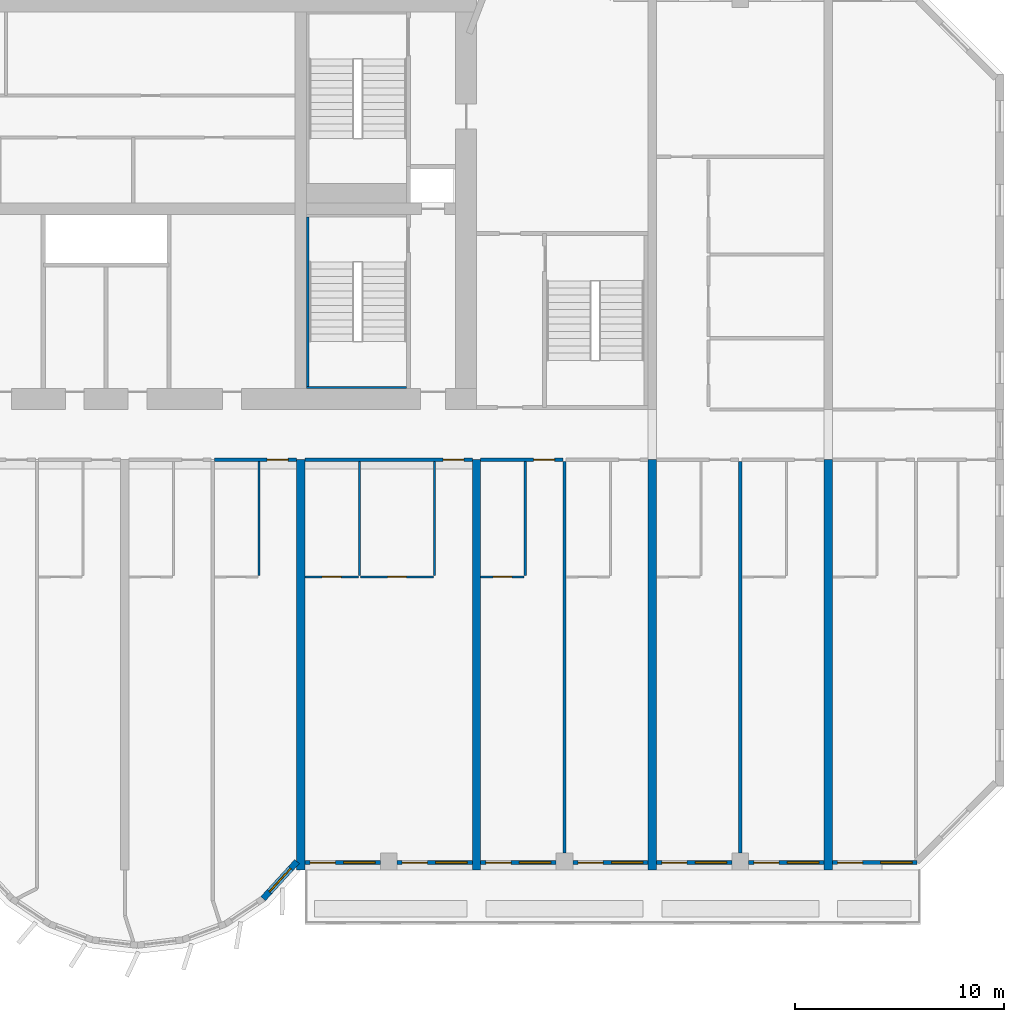
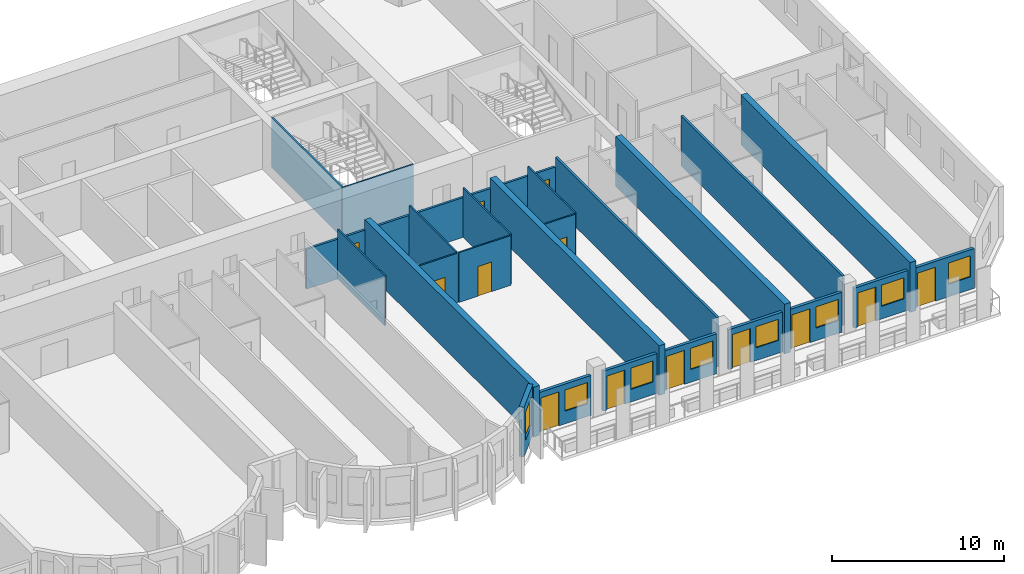
# One storey, part 8 of 14: 26 walls, 13 doors, 8 windows, 21 openings.
"""IFC4 building model written with IfcOpenShell, lengths in metres."""

from ifc_helpers import new_model, si_unit, direction, frame, frame_2d, origin, place, context, subcontext, project, spatial, rectangle, extrude, source, transform, mapped, material, layer, layer_set, type_object, element, fill, save


model = new_model("IFC4")

# Units and contexts
model_context = context("Model", 3, precision=1e-05, world=origin(), true_north=direction((0.0, 1.0)))
body_context = subcontext(model_context, "Body", "Model", "MODEL_VIEW")
ifc_project = project(units=[si_unit("LENGTHUNIT", "METRE"), si_unit("AREAUNIT", "SQUARE_METRE"), si_unit("VOLUMEUNIT", "CUBIC_METRE"), si_unit("PLANEANGLEUNIT", "RADIAN"), si_unit("MASSUNIT", "GRAM", prefix="KILO")], contexts=[model_context])

# Site, building, storey
site_placement = place(None, origin())
site = spatial("IfcSite", under=ifc_project, at=site_placement, CompositionType="ELEMENT")
building_placement = place(site_placement, origin())
building = spatial("IfcBuilding", under=site, at=building_placement, Name="Vanashikhar Sky Hotel", CompositionType="ELEMENT")
storey_placement = place(building_placement, frame((0.0, 0.0, 54.39990234375)))
storey = spatial("IfcBuildingStorey", under=building, at=storey_placement, Name="L12", CompositionType="ELEMENT", Elevation=54.39990234375)

# Walls
ifc_material_1 = material(Name="Concrete M80", Category="concrete")
ifc_layer_1 = layer(ifc_material_1, 0.39990234375)
ifc_layer_set_1 = layer_set([ifc_layer_1], Name="RC shear wall 400 Concrete M80")
wall_type_1 = type_object("IfcWallType", Name="RC shear wall 400 Concrete M80", PredefinedType="SHEAR", material=ifc_layer_set_1)
shared_shape_1 = source(origin(), body_context, "Body", "SweptSolid", [
    extrude(rectangle(XDim=19.60009765625, YDim=0.39990234375, at=frame_2d((9.800048828125, 0.0))), origin(), (0.0, 0.0, 1.0), 3.52001953125),
])
for number, where, z_axis, x_axis, name in (
    (1, (67.199951171875, 0.0, 0.0), (0.0, 0.0, 1.0), (0.0, 1.0, 0.0), "CW-L12-XW09-1"),
    (2, (75.60009765625, 0.0, 0.0), (0.0, 0.0, 1.0), (0.0, 1.0, 0.0), "CW-L12-XW10-1"),
    (3, (84.0, 0.0, 0.0), (0.0, 0.0, 1.0), (0.0, 1.0, 0.0), "CW-L12-XW11-1"),
    (4, (92.39990234375, 0.0, 0.0), (0.0, 0.0, 1.0), (0.0, 1.0, 0.0), "CW-L12-XW12-1"),
):
    element("IfcWall", number, at=place(storey_placement, frame(where, z_axis=z_axis, x_axis=x_axis)), inside=storey, type_object=wall_type_1, Name=name, PredefinedType="SHEAR", context=body_context, shape_type="MappedRepresentation", body=[
        mapped(shared_shape_1, transform((0.0, 0.0, 0.0), scale=1.0)),
    ])

# Wall, opening, window
ifc_material_2 = material(Name="Concrete M50", Category="concrete")
ifc_layer_2 = layer(ifc_material_2, 0.300048828125)
ifc_layer_set_2 = layer_set([ifc_layer_2], Name="Lobe wall 300")
wall_type_2 = type_object("IfcWallType", Name="Lobe wall 300", PredefinedType="SOLIDWALL", material=ifc_layer_set_2)
shared_shape_2 = source(origin(), body_context, "Body", "SweptSolid", [
    extrude(rectangle(XDim=2.398193359375, YDim=0.300048828125, at=frame_2d((1.19921875, 0.0))), origin(), (0.0, 0.0, 1.0), 3.52001953125),
])
wall_1_placement = place(storey_placement, frame((65.404296875, -1.36865234375, 0.0), z_axis=(0.0, 0.0, 1.0), x_axis=(0.675374189419, 0.737475222815, 0.0)))
wall_1 = element("IfcWall", 5, at=wall_1_placement, inside=storey, type_object=wall_type_2, Name="Lobe wall", PredefinedType="SOLIDWALL", context=body_context, shape_type="MappedRepresentation", body=[
    mapped(shared_shape_2, transform((0.0, 0.0, 0.0), scale=1.0)),
])
shared_shape_3 = source(origin(), body_context, "Body", "SweptSolid", [
    extrude(rectangle(XDim=1.5, YDim=2.0, at=frame_2d((0.75, 1.0))), frame((0.0, 0.16015625, 0.0), z_axis=(0.0, -1.0, 0.0), x_axis=(1.0, 0.0, 0.0)), (0.0, 0.0, 1.0), 0.320068359375),
])
opening_1_placement = place(wall_1_placement, frame((0.44921875, 0.0, 0.89990234375)))
opening_1 = element("IfcOpeningElement", 6, at=opening_1_placement, cuts=wall_1, Name="Opening WN-2", PredefinedType="OPENING", context=body_context, shape_type="MappedRepresentation", body=[
    mapped(shared_shape_3, transform((0.0, 0.0, 0.0), scale=1.0)),
])
ifc_material_3 = material(Name="Glass", Category="glass")
window_type_1 = type_object("IfcWindowType", Name="Lobe window 1500 x 2000", PartitioningType="SINGLE_PANEL", PredefinedType="WINDOW", material=ifc_material_3)
shared_shape_4 = source(origin(), body_context, "Body", "SweptSolid", [
    extrude(rectangle(XDim=1.5, YDim=2.0, at=frame_2d((0.75, 1.0))), frame((0.0, 0.030029296875, 0.0), z_axis=(0.0, -1.0, 0.0), x_axis=(1.0, 0.0, 0.0)), (0.0, 0.0, 1.0), 0.06005859375),
])
window_1_placement = place(opening_1_placement, origin())
window_1 = element("IfcWindow", 7, at=window_1_placement, inside=storey, type_object=window_type_1, Name="Window WN-2", OverallHeight=2.0, OverallWidth=1.5, PartitioningType="SINGLE_PANEL", PredefinedType="WINDOW", context=body_context, shape_type="MappedRepresentation", body=[
    mapped(shared_shape_4, transform((0.0, 0.0, 0.0), scale=1.0)),
])
fill(opening_1, window_1)

# Wall, openings, window, door
ifc_layer_3 = layer(ifc_material_2, 0.199951171875)
ifc_layer_set_3 = layer_set([ifc_layer_3], Name="Front window wall 200")
wall_type_3 = type_object("IfcWallType", Name="Front window wall 200", PredefinedType="SOLIDWALL", material=ifc_layer_set_3)
shared_shape_5 = source(origin(), body_context, "Body", "SweptSolid", [
    extrude(rectangle(XDim=4.054931640625, YDim=0.199951171875, at=frame_2d((2.02734375, 0.0))), origin(), (0.0, 0.0, 1.0), 2.820068359375),
])
wall_2_placement = place(storey_placement, frame((92.60009765625, 0.35009765625, 0.0), z_axis=(0.0, 0.0, 1.0), x_axis=(1.0, 0.0, 0.0)))
wall_2 = element("IfcWall", 8, at=wall_2_placement, inside=storey, type_object=wall_type_3, Name="Front window wall", PredefinedType="SOLIDWALL", context=body_context, shape_type="MappedRepresentation", body=[
    mapped(shared_shape_5, transform((0.0, 0.0, 0.0), scale=1.0)),
])
shared_shape_6 = source(origin(), body_context, "Body", "SweptSolid", [
    extrude(rectangle(XDim=1.199951171875, YDim=2.39990234375, at=frame_2d((0.60009765625, 1.199951171875))), frame((0.0, 0.10986328125, 0.0), z_axis=(0.0, -1.0, 0.0), x_axis=(1.0, 0.0, 0.0)), (0.0, 0.0, 1.0), 0.219970703125),
])
opening_2_placement = place(wall_2_placement, frame((0.25, 0.0, 0.0)))
opening_2 = element("IfcOpeningElement", 9, at=opening_2_placement, cuts=wall_2, Name="Opening BD-14", PredefinedType="OPENING", context=body_context, shape_type="MappedRepresentation", body=[
    mapped(shared_shape_6, transform((0.0, 0.0, 0.0), scale=1.0)),
])
shared_shape_7 = source(origin(), body_context, "Body", "SweptSolid", [
    extrude(rectangle(XDim=1.5, YDim=1.5, at=frame_2d((0.75, 0.75))), frame((0.0, 0.10986328125, 0.0), z_axis=(0.0, -1.0, 0.0), x_axis=(1.0, 0.0, 0.0)), (0.0, 0.0, 1.0), 0.219970703125),
])
opening_3_placement = place(wall_2_placement, frame((2.304931640625, 0.0, 0.89990234375)))
opening_3 = element("IfcOpeningElement", 10, at=opening_3_placement, cuts=wall_2, Name="Opening WN-1", PredefinedType="OPENING", context=body_context, shape_type="MappedRepresentation", body=[
    mapped(shared_shape_7, transform((0.0, 0.0, 0.0), scale=1.0)),
])
window_type_2 = type_object("IfcWindowType", Name="Window 1500 x 1500", PartitioningType="SINGLE_PANEL", PredefinedType="WINDOW", material=ifc_material_3)
shared_shape_8 = source(origin(), body_context, "Body", "SweptSolid", [
    extrude(rectangle(XDim=1.5, YDim=1.5, at=frame_2d((0.75, 0.75))), frame((0.0, 0.030029296875, 0.0), z_axis=(0.0, -1.0, 0.0), x_axis=(1.0, 0.0, 0.0)), (0.0, 0.0, 1.0), 0.06005859375),
])
window_2_placement = place(opening_3_placement, origin())
window_2 = element("IfcWindow", 11, at=window_2_placement, inside=storey, type_object=window_type_2, Name="Window WN-1", OverallHeight=1.5, OverallWidth=1.5, PartitioningType="SINGLE_PANEL", PredefinedType="WINDOW", context=body_context, shape_type="MappedRepresentation", body=[
    mapped(shared_shape_8, transform((0.0, 0.0, 0.0), scale=1.0)),
])
fill(opening_3, window_2)
ifc_material_4 = material(Name="Aluminium", Category="aluminium")
door_type_1 = type_object("IfcDoorType", Name="Balcony sliding door 1200 x 2400", OperationType="NOTDEFINED", PredefinedType="DOOR", material=ifc_material_4)
shared_shape_9 = source(origin(), body_context, "Body", "SweptSolid", [
    extrude(rectangle(XDim=1.199951171875, YDim=2.39990234375, at=frame_2d((0.60009765625, 1.199951171875))), frame((0.0, 0.02490234375, 0.0), z_axis=(0.0, -1.0, 0.0), x_axis=(1.0, 0.0, 0.0)), (0.0, 0.0, 1.0), 0.050048828125),
])
door_1_placement = place(opening_2_placement, origin())
door_1 = element("IfcDoor", 12, at=door_1_placement, inside=storey, type_object=door_type_1, Name="Balcony sliding door", OperationType="SLIDING_TO_RIGHT", OverallHeight=2.39990234375, OverallWidth=1.199951171875, PredefinedType="DOOR", context=body_context, shape_type="MappedRepresentation", body=[
    mapped(shared_shape_9, transform((0.0, 0.0, 0.0), scale=1.0)),
])
fill(opening_2, door_1)

shared_shape_10 = source(origin(), body_context, "Body", "SweptSolid", [
    extrude(rectangle(XDim=3.599853515625, YDim=0.199951171875, at=frame_2d((1.7998046875, 0.0))), origin(), (0.0, 0.0, 1.0), 2.820068359375),
])
wall_3_placement = place(storey_placement, frame((71.800048828125, 0.35009765625, 0.0), z_axis=(0.0, 0.0, 1.0), x_axis=(1.0, 0.0, 0.0)))
wall_3 = element("IfcWall", 13, at=wall_3_placement, inside=storey, type_object=wall_type_3, Name="Front window wall", PredefinedType="SOLIDWALL", context=body_context, shape_type="MappedRepresentation", body=[
    mapped(shared_shape_10, transform((0.0, 0.0, 0.0), scale=1.0)),
])
opening_4_placement = place(wall_3_placement, frame((0.25, 0.0, 0.0)))
opening_4 = element("IfcOpeningElement", 14, at=opening_4_placement, cuts=wall_3, Name="Opening BD-09", PredefinedType="OPENING", context=body_context, shape_type="MappedRepresentation", body=[
    mapped(shared_shape_6, transform((0.0, 0.0, 0.0), scale=1.0)),
])
opening_5_placement = place(wall_3_placement, frame((1.85009765625, 0.0, 0.89990234375)))
opening_5 = element("IfcOpeningElement", 15, at=opening_5_placement, cuts=wall_3, Name="Opening WN-1", PredefinedType="OPENING", context=body_context, shape_type="MappedRepresentation", body=[
    mapped(shared_shape_7, transform((0.0, 0.0, 0.0), scale=1.0)),
])
window_3_placement = place(opening_5_placement, origin())
window_3 = element("IfcWindow", 16, at=window_3_placement, inside=storey, type_object=window_type_2, Name="Window WN-1", OverallHeight=1.5, OverallWidth=1.5, PartitioningType="SINGLE_PANEL", PredefinedType="WINDOW", context=body_context, shape_type="MappedRepresentation", body=[
    mapped(shared_shape_8, transform((0.0, 0.0, 0.0), scale=1.0)),
])
fill(opening_5, window_3)
door_2_placement = place(opening_4_placement, origin())
door_2 = element("IfcDoor", 17, at=door_2_placement, inside=storey, type_object=door_type_1, Name="Balcony sliding door", OperationType="SLIDING_TO_LEFT", OverallHeight=2.39990234375, OverallWidth=1.199951171875, PredefinedType="DOOR", context=body_context, shape_type="MappedRepresentation", body=[
    mapped(shared_shape_9, transform((0.0, 0.0, 0.0), scale=1.0)),
])
fill(opening_4, door_2)

wall_4_placement = place(storey_placement, frame((75.800048828125, 0.35009765625, 0.0), z_axis=(0.0, 0.0, 1.0), x_axis=(1.0, 0.0, 0.0)))
wall_4 = element("IfcWall", 18, at=wall_4_placement, inside=storey, type_object=wall_type_3, Name="Front window wall", PredefinedType="SOLIDWALL", context=body_context, shape_type="MappedRepresentation", body=[
    mapped(shared_shape_10, transform((0.0, 0.0, 0.0), scale=1.0)),
])
opening_6_placement = place(wall_4_placement, frame((0.25, 0.0, 0.0)))
opening_6 = element("IfcOpeningElement", 19, at=opening_6_placement, cuts=wall_4, Name="Opening BD-10", PredefinedType="OPENING", context=body_context, shape_type="MappedRepresentation", body=[
    mapped(shared_shape_6, transform((0.0, 0.0, 0.0), scale=1.0)),
])
opening_7_placement = place(wall_4_placement, frame((1.85009765625, 0.0, 0.89990234375)))
opening_7 = element("IfcOpeningElement", 20, at=opening_7_placement, cuts=wall_4, Name="Opening WN-1", PredefinedType="OPENING", context=body_context, shape_type="MappedRepresentation", body=[
    mapped(shared_shape_7, transform((0.0, 0.0, 0.0), scale=1.0)),
])
window_4_placement = place(opening_7_placement, origin())
window_4 = element("IfcWindow", 21, at=window_4_placement, inside=storey, type_object=window_type_2, Name="Window WN-1", OverallHeight=1.5, OverallWidth=1.5, PartitioningType="SINGLE_PANEL", PredefinedType="WINDOW", context=body_context, shape_type="MappedRepresentation", body=[
    mapped(shared_shape_8, transform((0.0, 0.0, 0.0), scale=1.0)),
])
fill(opening_7, window_4)
door_3_placement = place(opening_6_placement, origin())
door_3 = element("IfcDoor", 22, at=door_3_placement, inside=storey, type_object=door_type_1, Name="Balcony sliding door", OperationType="SLIDING_TO_RIGHT", OverallHeight=2.39990234375, OverallWidth=1.199951171875, PredefinedType="DOOR", context=body_context, shape_type="MappedRepresentation", body=[
    mapped(shared_shape_9, transform((0.0, 0.0, 0.0), scale=1.0)),
])
fill(opening_6, door_3)

wall_5_placement = place(storey_placement, frame((88.60009765625, 0.35009765625, 0.0), z_axis=(0.0, 0.0, 1.0), x_axis=(1.0, 0.0, 0.0)))
wall_5 = element("IfcWall", 23, at=wall_5_placement, inside=storey, type_object=wall_type_3, Name="Front window wall", PredefinedType="SOLIDWALL", context=body_context, shape_type="MappedRepresentation", body=[
    mapped(shared_shape_10, transform((0.0, 0.0, 0.0), scale=1.0)),
])
opening_8_placement = place(wall_5_placement, frame((0.25, 0.0, 0.0)))
opening_8 = element("IfcOpeningElement", 24, at=opening_8_placement, cuts=wall_5, Name="Opening BD-13", PredefinedType="OPENING", context=body_context, shape_type="MappedRepresentation", body=[
    mapped(shared_shape_6, transform((0.0, 0.0, 0.0), scale=1.0)),
])
opening_9_placement = place(wall_5_placement, frame((1.85009765625, 0.0, 0.89990234375)))
opening_9 = element("IfcOpeningElement", 25, at=opening_9_placement, cuts=wall_5, Name="Opening WN-1", PredefinedType="OPENING", context=body_context, shape_type="MappedRepresentation", body=[
    mapped(shared_shape_7, transform((0.0, 0.0, 0.0), scale=1.0)),
])
window_5_placement = place(opening_9_placement, origin())
window_5 = element("IfcWindow", 26, at=window_5_placement, inside=storey, type_object=window_type_2, Name="Window WN-1", OverallHeight=1.5, OverallWidth=1.5, PartitioningType="SINGLE_PANEL", PredefinedType="WINDOW", context=body_context, shape_type="MappedRepresentation", body=[
    mapped(shared_shape_8, transform((0.0, 0.0, 0.0), scale=1.0)),
])
fill(opening_9, window_5)
door_4_placement = place(opening_8_placement, origin())
door_4 = element("IfcDoor", 27, at=door_4_placement, inside=storey, type_object=door_type_1, Name="Balcony sliding door", OperationType="SLIDING_TO_LEFT", OverallHeight=2.39990234375, OverallWidth=1.199951171875, PredefinedType="DOOR", context=body_context, shape_type="MappedRepresentation", body=[
    mapped(shared_shape_9, transform((0.0, 0.0, 0.0), scale=1.0)),
])
fill(opening_8, door_4)

shared_shape_11 = source(origin(), body_context, "Body", "SweptSolid", [
    extrude(rectangle(XDim=3.60009765625, YDim=0.199951171875, at=frame_2d((1.800048828125, 0.0))), origin(), (0.0, 0.0, 1.0), 2.820068359375),
])
wall_6_placement = place(storey_placement, frame((67.39990234375, 0.35009765625, 0.0), z_axis=(0.0, 0.0, 1.0), x_axis=(1.0, 0.0, 0.0)))
wall_6 = element("IfcWall", 28, at=wall_6_placement, inside=storey, type_object=wall_type_3, Name="Front window wall", PredefinedType="SOLIDWALL", context=body_context, shape_type="MappedRepresentation", body=[
    mapped(shared_shape_11, transform((0.0, 0.0, 0.0), scale=1.0)),
])
opening_10_placement = place(wall_6_placement, frame((0.25, 0.0, 0.0)))
opening_10 = element("IfcOpeningElement", 29, at=opening_10_placement, cuts=wall_6, Name="Opening BD-08", PredefinedType="OPENING", context=body_context, shape_type="MappedRepresentation", body=[
    mapped(shared_shape_6, transform((0.0, 0.0, 0.0), scale=1.0)),
])
opening_11_placement = place(wall_6_placement, frame((1.85009765625, 0.0, 0.89990234375)))
opening_11 = element("IfcOpeningElement", 30, at=opening_11_placement, cuts=wall_6, Name="Opening WN-1", PredefinedType="OPENING", context=body_context, shape_type="MappedRepresentation", body=[
    mapped(shared_shape_7, transform((0.0, 0.0, 0.0), scale=1.0)),
])
window_6_placement = place(opening_11_placement, origin())
window_6 = element("IfcWindow", 31, at=window_6_placement, inside=storey, type_object=window_type_2, Name="Window WN-1", OverallHeight=1.5, OverallWidth=1.5, PartitioningType="SINGLE_PANEL", PredefinedType="WINDOW", context=body_context, shape_type="MappedRepresentation", body=[
    mapped(shared_shape_8, transform((0.0, 0.0, 0.0), scale=1.0)),
])
fill(opening_11, window_6)
door_5_placement = place(opening_10_placement, origin())
door_5 = element("IfcDoor", 32, at=door_5_placement, inside=storey, type_object=door_type_1, Name="Balcony sliding door", OperationType="SLIDING_TO_RIGHT", OverallHeight=2.39990234375, OverallWidth=1.199951171875, PredefinedType="DOOR", context=body_context, shape_type="MappedRepresentation", body=[
    mapped(shared_shape_9, transform((0.0, 0.0, 0.0), scale=1.0)),
])
fill(opening_10, door_5)

wall_7_placement = place(storey_placement, frame((80.199951171875, 0.35009765625, 0.0), z_axis=(0.0, 0.0, 1.0), x_axis=(1.0, 0.0, 0.0)))
wall_7 = element("IfcWall", 33, at=wall_7_placement, inside=storey, type_object=wall_type_3, Name="Front window wall", PredefinedType="SOLIDWALL", context=body_context, shape_type="MappedRepresentation", body=[
    mapped(shared_shape_11, transform((0.0, 0.0, 0.0), scale=1.0)),
])
opening_12_placement = place(wall_7_placement, frame((0.25, 0.0, 0.0)))
opening_12 = element("IfcOpeningElement", 34, at=opening_12_placement, cuts=wall_7, Name="Opening BD-11", PredefinedType="OPENING", context=body_context, shape_type="MappedRepresentation", body=[
    mapped(shared_shape_6, transform((0.0, 0.0, 0.0), scale=1.0)),
])
opening_13_placement = place(wall_7_placement, frame((1.85009765625, 0.0, 0.89990234375)))
opening_13 = element("IfcOpeningElement", 35, at=opening_13_placement, cuts=wall_7, Name="Opening WN-1", PredefinedType="OPENING", context=body_context, shape_type="MappedRepresentation", body=[
    mapped(shared_shape_7, transform((0.0, 0.0, 0.0), scale=1.0)),
])
window_7_placement = place(opening_13_placement, origin())
window_7 = element("IfcWindow", 36, at=window_7_placement, inside=storey, type_object=window_type_2, Name="Window WN-1", OverallHeight=1.5, OverallWidth=1.5, PartitioningType="SINGLE_PANEL", PredefinedType="WINDOW", context=body_context, shape_type="MappedRepresentation", body=[
    mapped(shared_shape_8, transform((0.0, 0.0, 0.0), scale=1.0)),
])
fill(opening_13, window_7)
door_6_placement = place(opening_12_placement, origin())
door_6 = element("IfcDoor", 37, at=door_6_placement, inside=storey, type_object=door_type_1, Name="Balcony sliding door", OperationType="SLIDING_TO_LEFT", OverallHeight=2.39990234375, OverallWidth=1.199951171875, PredefinedType="DOOR", context=body_context, shape_type="MappedRepresentation", body=[
    mapped(shared_shape_9, transform((0.0, 0.0, 0.0), scale=1.0)),
])
fill(opening_12, door_6)

wall_8_placement = place(storey_placement, frame((84.199951171875, 0.35009765625, 0.0), z_axis=(0.0, 0.0, 1.0), x_axis=(1.0, 0.0, 0.0)))
wall_8 = element("IfcWall", 38, at=wall_8_placement, inside=storey, type_object=wall_type_3, Name="Front window wall", PredefinedType="SOLIDWALL", context=body_context, shape_type="MappedRepresentation", body=[
    mapped(shared_shape_11, transform((0.0, 0.0, 0.0), scale=1.0)),
])
opening_14_placement = place(wall_8_placement, frame((0.25, 0.0, 0.0)))
opening_14 = element("IfcOpeningElement", 39, at=opening_14_placement, cuts=wall_8, Name="Opening BD-12", PredefinedType="OPENING", context=body_context, shape_type="MappedRepresentation", body=[
    mapped(shared_shape_6, transform((0.0, 0.0, 0.0), scale=1.0)),
])
opening_15_placement = place(wall_8_placement, frame((1.85009765625, 0.0, 0.89990234375)))
opening_15 = element("IfcOpeningElement", 40, at=opening_15_placement, cuts=wall_8, Name="Opening WN-1", PredefinedType="OPENING", context=body_context, shape_type="MappedRepresentation", body=[
    mapped(shared_shape_7, transform((0.0, 0.0, 0.0), scale=1.0)),
])
window_8_placement = place(opening_15_placement, origin())
window_8 = element("IfcWindow", 41, at=window_8_placement, inside=storey, type_object=window_type_2, Name="Window WN-1", OverallHeight=1.5, OverallWidth=1.5, PartitioningType="SINGLE_PANEL", PredefinedType="WINDOW", context=body_context, shape_type="MappedRepresentation", body=[
    mapped(shared_shape_8, transform((0.0, 0.0, 0.0), scale=1.0)),
])
fill(opening_15, window_8)
door_7_placement = place(opening_14_placement, origin())
door_7 = element("IfcDoor", 42, at=door_7_placement, inside=storey, type_object=door_type_1, Name="Balcony sliding door", OperationType="SLIDING_TO_RIGHT", OverallHeight=2.39990234375, OverallWidth=1.199951171875, PredefinedType="DOOR", context=body_context, shape_type="MappedRepresentation", body=[
    mapped(shared_shape_9, transform((0.0, 0.0, 0.0), scale=1.0)),
])
fill(opening_14, door_7)

# Walls
ifc_layer_4 = layer(ifc_material_2, 0.10009765625)
ifc_layer_set_4 = layer_set([ifc_layer_4], Name="Stair infill wall 100")
wall_type_4 = type_object("IfcWallType", Name="Stair infill wall 100", PredefinedType="SOLIDWALL", material=ifc_layer_set_4)
shared_shape_12 = source(origin(), body_context, "Body", "SweptSolid", [
    extrude(rectangle(XDim=4.77490234375, YDim=0.10009765625, at=frame_2d((2.387451171875, 0.0))), origin(), (0.0, 0.0, 1.0), 3.52001953125),
])
wall_9_placement = place(storey_placement, frame((67.47509765625, 23.050048828125, 0.0), z_axis=(0.0, 0.0, 1.0), x_axis=(1.0, 0.0, 0.0)))
element("IfcWall", 43, at=wall_9_placement, inside=storey, type_object=wall_type_4, Name="Stair infill wall 100", PredefinedType="SOLIDWALL", context=body_context, shape_type="MappedRepresentation", body=[
    mapped(shared_shape_12, transform((0.0, 0.0, 0.0), scale=1.0)),
])
ifc_layer_5 = layer(ifc_material_2, 0.125)
ifc_layer_set_5 = layer_set([ifc_layer_5], Name="Stair infill wall 125")
wall_type_5 = type_object("IfcWallType", Name="Stair infill wall 125", PredefinedType="SOLIDWALL", material=ifc_layer_set_5)
shared_shape_13 = source(origin(), body_context, "Body", "SweptSolid", [
    extrude(rectangle(XDim=8.099853515625, YDim=0.125, at=frame_2d((4.0498046875, 0.0))), origin(), (0.0, 0.0, 1.0), 3.52001953125),
])
wall_10_placement = place(storey_placement, frame((67.537109375, 23.10009765625, 0.0), z_axis=(0.0, 0.0, 1.0), x_axis=(0.0, 1.0, 0.0)))
element("IfcWall", 44, at=wall_10_placement, inside=storey, type_object=wall_type_5, Name="Stair infill wall 125", PredefinedType="SOLIDWALL", context=body_context, shape_type="MappedRepresentation", body=[
    mapped(shared_shape_13, transform((0.0, 0.0, 0.0), scale=1.0)),
])

# Wall, opening, door
ifc_material_5 = material(Name="Gypsum plasterboard partition")
ifc_layer_6 = layer(ifc_material_5, 0.10009765625)
ifc_layer_set_6 = layer_set([ifc_layer_6], Name="Wet room partition 100")
wall_type_6 = type_object("IfcWallType", Name="Wet room partition 100", PredefinedType="PARTITIONING", material=ifc_layer_set_6)
shared_shape_14 = source(origin(), body_context, "Body", "SweptSolid", [
    extrude(rectangle(XDim=3.5, YDim=0.10009765625, at=frame_2d((1.75, 0.0))), origin(), (0.0, 0.0, 1.0), 3.52001953125),
])
wall_11_placement = place(storey_placement, frame((70.050048828125, 14.0, 0.0), z_axis=(0.0, 0.0, 1.0), x_axis=(1.0, 0.0, 0.0)))
wall_11 = element("IfcWall", 45, at=wall_11_placement, inside=storey, type_object=wall_type_6, Name="W-L12-PW047", PredefinedType="PARTITIONING", context=body_context, shape_type="MappedRepresentation", body=[
    mapped(shared_shape_14, transform((0.0, 0.0, 0.0), scale=1.0)),
])
shared_shape_15 = source(origin(), body_context, "Body", "SweptSolid", [
    extrude(rectangle(XDim=0.89990234375, YDim=2.10009765625, at=frame_2d((0.449951171875, 1.050048828125))), frame((0.0, 0.06005859375, 0.0), z_axis=(0.0, -1.0, 0.0), x_axis=(1.0, 0.0, 0.0)), (0.0, 0.0, 1.0), 0.1201171875),
])
opening_16_placement = place(wall_11_placement, frame((1.300048828125, 0.0, 0.0)))
opening_16 = element("IfcOpeningElement", 46, at=opening_16_placement, cuts=wall_11, Name="Opening D-02", PredefinedType="OPENING", context=body_context, shape_type="MappedRepresentation", body=[
    mapped(shared_shape_15, transform((0.0, 0.0, 0.0), scale=1.0)),
])
ifc_material_6 = material(Name="Timber door", Category="wood")
door_type_2 = type_object("IfcDoorType", Name="Internal door 900", OperationType="NOTDEFINED", PredefinedType="DOOR", material=ifc_material_6)
shared_shape_16 = source(origin(), body_context, "Body", "SweptSolid", [
    extrude(rectangle(XDim=0.89990234375, YDim=2.10009765625, at=frame_2d((0.449951171875, 1.050048828125))), frame((0.0, 0.02490234375, 0.0), z_axis=(0.0, -1.0, 0.0), x_axis=(1.0, 0.0, 0.0)), (0.0, 0.0, 1.0), 0.050048828125),
])
door_8_placement = place(opening_16_placement, origin())
door_8 = element("IfcDoor", 47, at=door_8_placement, inside=storey, type_object=door_type_2, Name="D-L12-027", OperationType="SINGLE_SWING_RIGHT", OverallHeight=2.10009765625, OverallWidth=0.89990234375, PredefinedType="DOOR", context=body_context, shape_type="MappedRepresentation", body=[
    mapped(shared_shape_16, transform((0.0, 0.0, 0.0), scale=1.0)),
])
fill(opening_16, door_8)

shared_shape_17 = source(origin(), body_context, "Body", "SweptSolid", [
    extrude(rectangle(XDim=2.074951171875, YDim=0.10009765625, at=frame_2d((1.03759765625, 0.0))), origin(), (0.0, 0.0, 1.0), 3.52001953125),
])
wall_12_placement = place(storey_placement, frame((75.800048828125, 14.0, 0.0), z_axis=(0.0, 0.0, 1.0), x_axis=(1.0, 0.0, 0.0)))
wall_12 = element("IfcWall", 48, at=wall_12_placement, inside=storey, type_object=wall_type_6, Name="W-L12-PW051", PredefinedType="PARTITIONING", context=body_context, shape_type="MappedRepresentation", body=[
    mapped(shared_shape_17, transform((0.0, 0.0, 0.0), scale=1.0)),
])
opening_17_placement = place(wall_12_placement, frame((0.587890625, 0.0, 0.0)))
opening_17 = element("IfcOpeningElement", 49, at=opening_17_placement, cuts=wall_12, Name="Opening D-02", PredefinedType="OPENING", context=body_context, shape_type="MappedRepresentation", body=[
    mapped(shared_shape_15, transform((0.0, 0.0, 0.0), scale=1.0)),
])
door_9_placement = place(opening_17_placement, origin())
door_9 = element("IfcDoor", 50, at=door_9_placement, inside=storey, type_object=door_type_2, Name="D-L12-030", OperationType="SINGLE_SWING_RIGHT", OverallHeight=2.10009765625, OverallWidth=0.89990234375, PredefinedType="DOOR", context=body_context, shape_type="MappedRepresentation", body=[
    mapped(shared_shape_16, transform((0.0, 0.0, 0.0), scale=1.0)),
])
fill(opening_17, door_9)

ifc_layer_7 = layer(ifc_material_5, 0.14990234375)
ifc_layer_set_7 = layer_set([ifc_layer_7], Name="Corridor and demising partition 150")
wall_type_7 = type_object("IfcWallType", Name="Corridor and demising partition 150", PredefinedType="PARTITIONING", material=ifc_layer_set_7)
shared_shape_18 = source(origin(), body_context, "Body", "SweptSolid", [
    extrude(rectangle(XDim=3.925048828125, YDim=0.14990234375, at=frame_2d((1.96240234375, 0.0))), origin(), (0.0, 0.0, 1.0), 2.820068359375),
])
wall_13_placement = place(storey_placement, frame((63.074951171875, 19.60009765625, 0.0), z_axis=(0.0, 0.0, 1.0), x_axis=(1.0, 0.0, 0.0)))
wall_13 = element("IfcWall", 51, at=wall_13_placement, inside=storey, type_object=wall_type_7, Name="W-L12-PW043", PredefinedType="PARTITIONING", context=body_context, shape_type="MappedRepresentation", body=[
    mapped(shared_shape_18, transform((0.0, 0.0, 0.0), scale=1.0)),
])
shared_shape_19 = source(origin(), body_context, "Body", "SweptSolid", [
    extrude(rectangle(XDim=1.0, YDim=2.10009765625, at=frame_2d((0.5, 1.050048828125))), frame((0.0, 0.0849609375, 0.0), z_axis=(0.0, -1.0, 0.0), x_axis=(1.0, 0.0, 0.0)), (0.0, 0.0, 1.0), 0.169921875),
])
opening_18_placement = place(wall_13_placement, frame((2.52490234375, 0.0, 0.0)))
opening_18 = element("IfcOpeningElement", 52, at=opening_18_placement, cuts=wall_13, Name="Opening D-01", PredefinedType="OPENING", context=body_context, shape_type="MappedRepresentation", body=[
    mapped(shared_shape_19, transform((0.0, 0.0, 0.0), scale=1.0)),
])
ifc_material_7 = material(Name="Timber fire door", Category="wood")
door_type_3 = type_object("IfcDoorType", Name="Guest entry door 1000 FD30S", OperationType="NOTDEFINED", PredefinedType="DOOR", material=ifc_material_7)
shared_shape_20 = source(origin(), body_context, "Body", "SweptSolid", [
    extrude(rectangle(XDim=1.0, YDim=2.10009765625, at=frame_2d((0.5, 1.050048828125))), frame((0.0, 0.02490234375, 0.0), z_axis=(0.0, -1.0, 0.0), x_axis=(1.0, 0.0, 0.0)), (0.0, 0.0, 1.0), 0.050048828125),
])
door_10_placement = place(opening_18_placement, origin())
door_10 = element("IfcDoor", 53, at=door_10_placement, inside=storey, type_object=door_type_3, Name="D-L12-026", OperationType="SINGLE_SWING_RIGHT", OverallHeight=2.10009765625, OverallWidth=1.0, PredefinedType="DOOR", context=body_context, shape_type="MappedRepresentation", body=[
    mapped(shared_shape_20, transform((0.0, 0.0, 0.0), scale=1.0)),
])
fill(opening_18, door_10)

wall_14_placement = place(storey_placement, frame((75.800048828125, 19.60009765625, 0.0), z_axis=(0.0, 0.0, 1.0), x_axis=(1.0, 0.0, 0.0)))
wall_14 = element("IfcWall", 54, at=wall_14_placement, inside=storey, type_object=wall_type_7, Name="W-L12-PW052", PredefinedType="PARTITIONING", context=body_context, shape_type="MappedRepresentation", body=[
    mapped(shared_shape_18, transform((0.0, 0.0, 0.0), scale=1.0)),
])
opening_19_placement = place(wall_14_placement, frame((2.52490234375, 0.0, 0.0)))
opening_19 = element("IfcOpeningElement", 55, at=opening_19_placement, cuts=wall_14, Name="Opening D-01", PredefinedType="OPENING", context=body_context, shape_type="MappedRepresentation", body=[
    mapped(shared_shape_19, transform((0.0, 0.0, 0.0), scale=1.0)),
])
door_11_placement = place(opening_19_placement, origin())
door_11 = element("IfcDoor", 56, at=door_11_placement, inside=storey, type_object=door_type_3, Name="D-L12-031", OperationType="SINGLE_SWING_RIGHT", OverallHeight=2.10009765625, OverallWidth=1.0, PredefinedType="DOOR", context=body_context, shape_type="MappedRepresentation", body=[
    mapped(shared_shape_20, transform((0.0, 0.0, 0.0), scale=1.0)),
])
fill(opening_19, door_11)

# Walls
shared_shape_21 = source(origin(), body_context, "Body", "SweptSolid", [
    extrude(rectangle(XDim=18.724853515625, YDim=0.14990234375, at=frame_2d((9.3623046875, 0.0))), origin(), (0.0, 0.0, 1.0), 3.52001953125),
])
for number, where, z_axis, x_axis, name in (
    (57, (79.800048828125, 0.800048828125, 0.0), (0.0, 0.0, 1.0), (0.0, 1.0, 0.0), "W-L12-PW056"),
    (58, (88.199951171875, 0.800048828125, 0.0), (0.0, 0.0, 1.0), (0.0, 1.0, 0.0), "W-L12-PW063"),
):
    element("IfcWall", number, at=place(storey_placement, frame(where, z_axis=z_axis, x_axis=x_axis)), inside=storey, type_object=wall_type_7, Name=name, PredefinedType="PARTITIONING", context=body_context, shape_type="MappedRepresentation", body=[
        mapped(shared_shape_21, transform((0.0, 0.0, 0.0), scale=1.0)),
    ])

# Wall, opening, door
shared_shape_22 = source(origin(), body_context, "Body", "SweptSolid", [
    extrude(rectangle(XDim=2.550048828125, YDim=0.10009765625, at=frame_2d((1.27490234375, 0.0))), origin(), (0.0, 0.0, 1.0), 3.52001953125),
])
wall_15_placement = place(storey_placement, frame((67.39990234375, 14.0, 0.0), z_axis=(0.0, 0.0, 1.0), x_axis=(1.0, 0.0, 0.0)))
wall_15 = element("IfcWall", 59, at=wall_15_placement, inside=storey, type_object=wall_type_6, Name="W-L12-PW048", PredefinedType="PARTITIONING", context=body_context, shape_type="MappedRepresentation", body=[
    mapped(shared_shape_22, transform((0.0, 0.0, 0.0), scale=1.0)),
])
opening_20_placement = place(wall_15_placement, frame((0.824951171875, 0.0, 0.0)))
opening_20 = element("IfcOpeningElement", 60, at=opening_20_placement, cuts=wall_15, Name="Opening D-02", PredefinedType="OPENING", context=body_context, shape_type="MappedRepresentation", body=[
    mapped(shared_shape_15, transform((0.0, 0.0, 0.0), scale=1.0)),
])
door_12_placement = place(opening_20_placement, origin())
door_12 = element("IfcDoor", 61, at=door_12_placement, inside=storey, type_object=door_type_2, Name="D-L12-028", OperationType="SINGLE_SWING_RIGHT", OverallHeight=2.10009765625, OverallWidth=0.89990234375, PredefinedType="DOOR", context=body_context, shape_type="MappedRepresentation", body=[
    mapped(shared_shape_16, transform((0.0, 0.0, 0.0), scale=1.0)),
])
fill(opening_20, door_12)

shared_shape_23 = source(origin(), body_context, "Body", "SweptSolid", [
    extrude(rectangle(XDim=8.0, YDim=0.14990234375, at=frame_2d((4.0, 0.0))), origin(), (0.0, 0.0, 1.0), 2.820068359375),
])
wall_16_placement = place(storey_placement, frame((67.39990234375, 19.60009765625, 0.0), z_axis=(0.0, 0.0, 1.0), x_axis=(1.0, 0.0, 0.0)))
wall_16 = element("IfcWall", 62, at=wall_16_placement, inside=storey, type_object=wall_type_7, Name="W-L12-PW049", PredefinedType="PARTITIONING", context=body_context, shape_type="MappedRepresentation", body=[
    mapped(shared_shape_23, transform((0.0, 0.0, 0.0), scale=1.0)),
])
opening_21_placement = place(wall_16_placement, frame((6.60009765625, 0.0, 0.0)))
opening_21 = element("IfcOpeningElement", 63, at=opening_21_placement, cuts=wall_16, Name="Opening D-01", PredefinedType="OPENING", context=body_context, shape_type="MappedRepresentation", body=[
    mapped(shared_shape_19, transform((0.0, 0.0, 0.0), scale=1.0)),
])
door_13_placement = place(opening_21_placement, origin())
door_13 = element("IfcDoor", 64, at=door_13_placement, inside=storey, type_object=door_type_3, Name="D-L12-029", OperationType="SINGLE_SWING_RIGHT", OverallHeight=2.10009765625, OverallWidth=1.0, PredefinedType="DOOR", context=body_context, shape_type="MappedRepresentation", body=[
    mapped(shared_shape_20, transform((0.0, 0.0, 0.0), scale=1.0)),
])
fill(opening_21, door_13)

# Walls
shared_shape_24 = source(origin(), body_context, "Body", "SweptSolid", [
    extrude(rectangle(XDim=5.449951171875, YDim=0.10009765625, at=frame_2d((2.72509765625, 0.0))), origin(), (0.0, 0.0, 1.0), 3.52001953125),
])
for number, where, z_axis, x_axis, name in (
    (65, (65.199951171875, 14.074951171875, 0.0), (0.0, 0.0, 1.0), (0.0, 1.0, 0.0), "W-L12-PW041"),
    (66, (73.60009765625, 14.074951171875, 0.0), (0.0, 0.0, 1.0), (0.0, 1.0, 0.0), "W-L12-PW045"),
    (67, (70.0, 14.074951171875, 0.0), (0.0, 0.0, 1.0), (0.0, 1.0, 0.0), "W-L12-PW046"),
    (68, (77.925048828125, 14.074951171875, 0.0), (0.0, 0.0, 1.0), (0.0, 1.0, 0.0), "W-L12-PW050"),
):
    element("IfcWall", number, at=place(storey_placement, frame(where, z_axis=z_axis, x_axis=x_axis)), inside=storey, type_object=wall_type_6, Name=name, PredefinedType="PARTITIONING", context=body_context, shape_type="MappedRepresentation", body=[
        mapped(shared_shape_24, transform((0.0, 0.0, 0.0), scale=1.0)),
    ])

save(model, "model.ifc")
